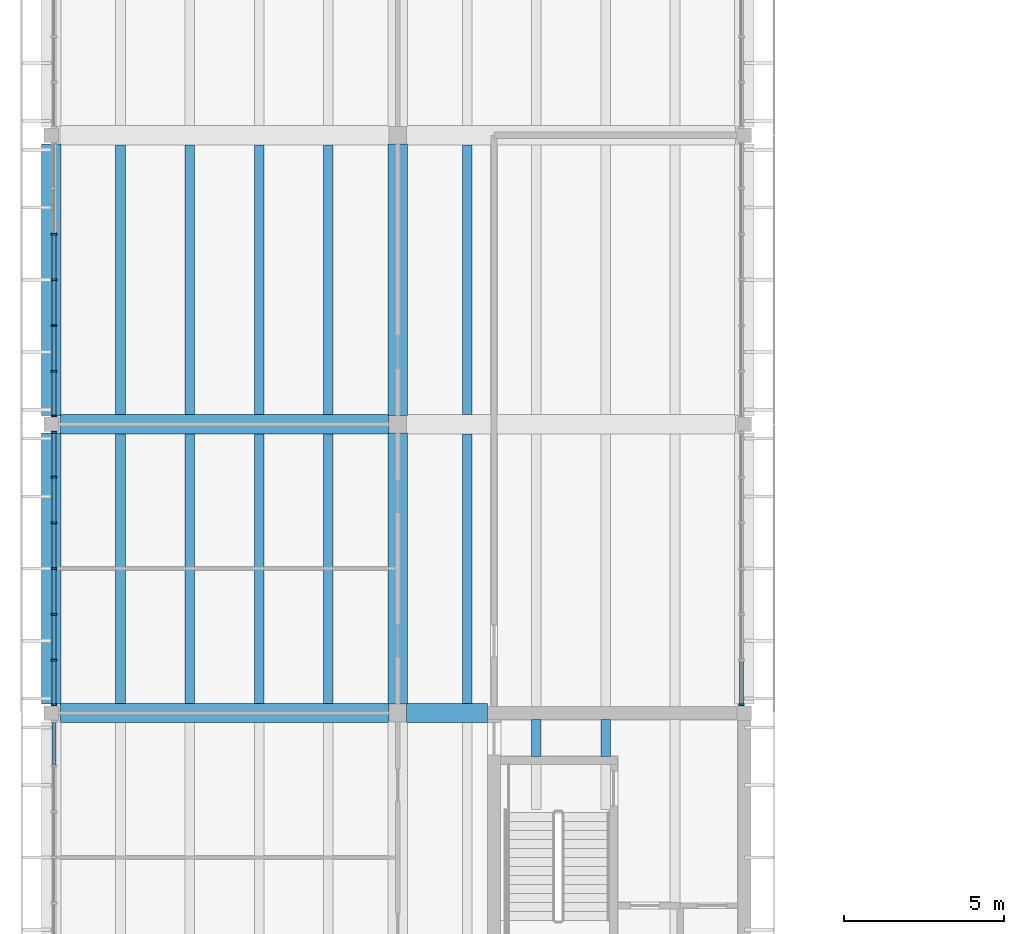
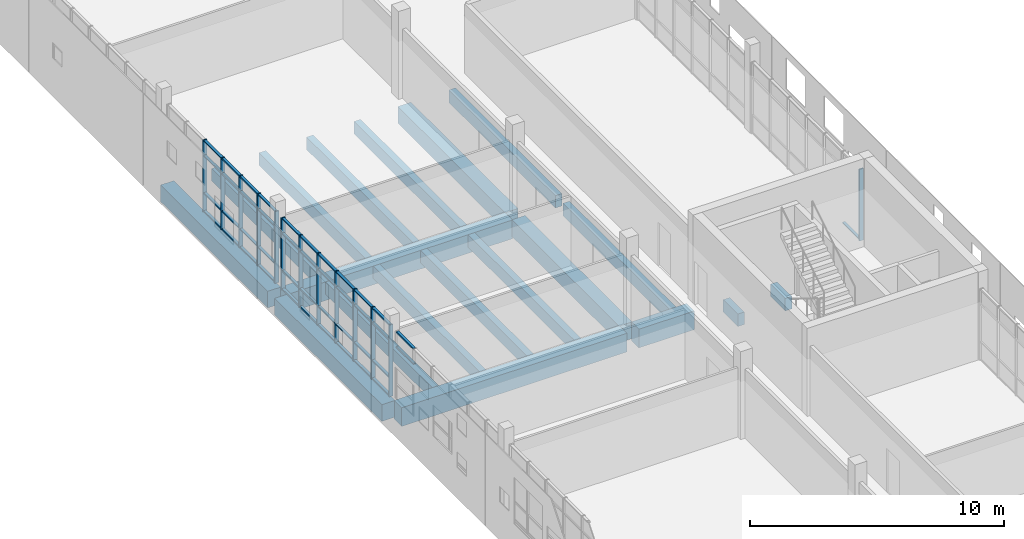
# One storey, part 12 of 50: 56 members, 19 beams, 4 elements without a shape of their own.
"""IFC4 building model written with IfcOpenShell, lengths in metres."""

from ifc_helpers import new_model, si_unit, direction, frame, origin, origin_2d, place, context, subcontext, project, spatial, rectangle, extrude, material, material_profile, profile_set, type_object, element, aggregate, save


model = new_model("IFC4")

# Units and contexts
model_context = context("Model", 3, precision=1e-05, world=origin(), true_north=direction((0.0, 1.0)))
body_context = subcontext(model_context, "Body", "Model", "MODEL_VIEW")
ifc_project = project(units=[si_unit("LENGTHUNIT", "METRE"), si_unit("AREAUNIT", "SQUARE_METRE"), si_unit("VOLUMEUNIT", "CUBIC_METRE"), si_unit("PLANEANGLEUNIT", "RADIAN"), si_unit("MASSUNIT", "GRAM", prefix="KILO")], contexts=[model_context])

# Site, building, storey
site_placement = place(None, origin())
site = spatial("IfcSite", under=ifc_project, at=site_placement, CompositionType="ELEMENT")
building_placement = place(site_placement, origin())
building = spatial("IfcBuilding", under=site, at=building_placement, Name="Merrow Basin Faculty of Sciences", CompositionType="ELEMENT")
storey_placement = place(building_placement, frame((0.0, 0.0, 18.0)))
storey = spatial("IfcBuildingStorey", under=building, at=storey_placement, Name="L04", CompositionType="ELEMENT", Elevation=18.0)

# Curtain wall, members
ifc_material_1 = material(Name="Aluminium alloy 6063", Category="aluminium")
curtain_wall_type = type_object("IfcCurtainWallType", Name="Bar unitised curtain wall 180", PredefinedType="NOTDEFINED", material=ifc_material_1)
curtain_wall_1_placement = place(storey_placement, origin())
curtain_wall_1 = element("IfcCurtainWall", 1, at=curtain_wall_1_placement, inside=storey, type_object=curtain_wall_type, Name="West curtain wall L04 4", PredefinedType="NOTDEFINED")
ifc_material_2 = material(Name="Aluminium alloy 6063", Category="aluminium")
ifc_material_profile_1 = material_profile(ifc_material_2, rectangle(XDim=0.179931640625, YDim=0.06005859375, at=origin_2d()))
ifc_profile_set_1 = profile_set([ifc_material_profile_1], Name="Aluminium alloy 6063")
member_type_1 = type_object("IfcMemberType", Name="Aluminium mullion 60x180", PredefinedType="MULLION", material=ifc_profile_set_1)
member_1_placement = place(storey_placement, frame((0.090087890625, 97.2548828125, 0.0), z_axis=(0.0, 0.0, 1.0), x_axis=(-1.0, 0.0, 0.0)))
member_1 = element("IfcMember", 2, at=member_1_placement, type_object=member_type_1, Name="CW1 mullion 1", PredefinedType="MULLION", context=body_context, shape_type="SweptSolid", body=[
    extrude(rectangle(XDim=0.179931640625, YDim=0.06005859375, at=origin_2d()), origin(), (0.0, 0.0, 1.0), 3.449951171875),
])
member_2_placement = place(storey_placement, frame((0.090087890625, 98.64990234375, 0.0), z_axis=(0.0, 0.0, 1.0), x_axis=(-1.0, 0.0, 0.0)))
member_2 = element("IfcMember", 3, at=member_2_placement, type_object=member_type_1, Name="CW1 mullion 2", PredefinedType="MULLION", context=body_context, shape_type="SweptSolid", body=[
    extrude(rectangle(XDim=0.179931640625, YDim=0.06005859375, at=origin_2d()), origin(), (0.0, 0.0, 1.0), 3.449951171875),
])
member_3_placement = place(storey_placement, frame((0.090087890625, 100.074951171875, 0.0), z_axis=(0.0, 0.0, 1.0), x_axis=(-1.0, 0.0, 0.0)))
member_3 = element("IfcMember", 4, at=member_3_placement, type_object=member_type_1, Name="CW1 mullion 3", PredefinedType="MULLION", context=body_context, shape_type="SweptSolid", body=[
    extrude(rectangle(XDim=0.179931640625, YDim=0.06005859375, at=origin_2d()), origin(), (0.0, 0.0, 1.0), 3.449951171875),
])
member_4_placement = place(storey_placement, frame((0.090087890625, 101.5, 0.0), z_axis=(0.0, 0.0, 1.0), x_axis=(-1.0, 0.0, 0.0)))
member_4 = element("IfcMember", 5, at=member_4_placement, type_object=member_type_1, Name="CW1 mullion 4", PredefinedType="MULLION", context=body_context, shape_type="SweptSolid", body=[
    extrude(rectangle(XDim=0.179931640625, YDim=0.06005859375, at=origin_2d()), origin(), (0.0, 0.0, 1.0), 3.449951171875),
])
member_5_placement = place(storey_placement, frame((0.090087890625, 102.925048828125, 0.0), z_axis=(0.0, 0.0, 1.0), x_axis=(-1.0, 0.0, 0.0)))
member_5 = element("IfcMember", 6, at=member_5_placement, type_object=member_type_1, Name="CW1 mullion 5", PredefinedType="MULLION", context=body_context, shape_type="SweptSolid", body=[
    extrude(rectangle(XDim=0.179931640625, YDim=0.06005859375, at=origin_2d()), origin(), (0.0, 0.0, 1.0), 3.449951171875),
])
member_6_placement = place(storey_placement, frame((0.090087890625, 104.35009765625, 0.0), z_axis=(0.0, 0.0, 1.0), x_axis=(-1.0, 0.0, 0.0)))
member_6 = element("IfcMember", 7, at=member_6_placement, type_object=member_type_1, Name="CW1 mullion 6", PredefinedType="MULLION", context=body_context, shape_type="SweptSolid", body=[
    extrude(rectangle(XDim=0.179931640625, YDim=0.06005859375, at=origin_2d()), origin(), (0.0, 0.0, 1.0), 3.449951171875),
])
member_7_placement = place(storey_placement, frame((0.090087890625, 105.7451171875, 0.0), z_axis=(0.0, 0.0, 1.0), x_axis=(-1.0, 0.0, 0.0)))
member_7 = element("IfcMember", 8, at=member_7_placement, type_object=member_type_1, Name="CW1 mullion 7", PredefinedType="MULLION", context=body_context, shape_type="SweptSolid", body=[
    extrude(rectangle(XDim=0.179931640625, YDim=0.06005859375, at=origin_2d()), origin(), (0.0, 0.0, 1.0), 3.449951171875),
])

curtain_wall_2_placement = place(storey_placement, origin())
curtain_wall_2 = element("IfcCurtainWall", 9, at=curtain_wall_2_placement, inside=storey, type_object=curtain_wall_type, Name="West curtain wall L04 5", PredefinedType="NOTDEFINED")
member_8_placement = place(storey_placement, frame((0.090087890625, 106.2548828125, 0.0), z_axis=(0.0, 0.0, 1.0), x_axis=(-1.0, 0.0, 0.0)))
member_8 = element("IfcMember", 10, at=member_8_placement, type_object=member_type_1, Name="CW1 mullion 1", PredefinedType="MULLION", context=body_context, shape_type="SweptSolid", body=[
    extrude(rectangle(XDim=0.179931640625, YDim=0.06005859375, at=origin_2d()), origin(), (0.0, 0.0, 1.0), 3.449951171875),
])
member_9_placement = place(storey_placement, frame((0.090087890625, 107.64990234375, 0.0), z_axis=(0.0, 0.0, 1.0), x_axis=(-1.0, 0.0, 0.0)))
member_9 = element("IfcMember", 11, at=member_9_placement, type_object=member_type_1, Name="CW1 mullion 2", PredefinedType="MULLION", context=body_context, shape_type="SweptSolid", body=[
    extrude(rectangle(XDim=0.179931640625, YDim=0.06005859375, at=origin_2d()), origin(), (0.0, 0.0, 1.0), 3.449951171875),
])
member_10_placement = place(storey_placement, frame((0.090087890625, 109.074951171875, 0.0), z_axis=(0.0, 0.0, 1.0), x_axis=(-1.0, 0.0, 0.0)))
member_10 = element("IfcMember", 12, at=member_10_placement, type_object=member_type_1, Name="CW1 mullion 3", PredefinedType="MULLION", context=body_context, shape_type="SweptSolid", body=[
    extrude(rectangle(XDim=0.179931640625, YDim=0.06005859375, at=origin_2d()), origin(), (0.0, 0.0, 1.0), 3.449951171875),
])
member_11_placement = place(storey_placement, frame((0.090087890625, 110.5, 0.0), z_axis=(0.0, 0.0, 1.0), x_axis=(-1.0, 0.0, 0.0)))
member_11 = element("IfcMember", 13, at=member_11_placement, type_object=member_type_1, Name="CW1 mullion 4", PredefinedType="MULLION", context=body_context, shape_type="SweptSolid", body=[
    extrude(rectangle(XDim=0.179931640625, YDim=0.06005859375, at=origin_2d()), origin(), (0.0, 0.0, 1.0), 3.449951171875),
])
member_12_placement = place(storey_placement, frame((0.090087890625, 111.925048828125, 0.0), z_axis=(0.0, 0.0, 1.0), x_axis=(-1.0, 0.0, 0.0)))
member_12 = element("IfcMember", 14, at=member_12_placement, type_object=member_type_1, Name="CW1 mullion 5", PredefinedType="MULLION", context=body_context, shape_type="SweptSolid", body=[
    extrude(rectangle(XDim=0.179931640625, YDim=0.06005859375, at=origin_2d()), origin(), (0.0, 0.0, 1.0), 3.449951171875),
])

# Curtain wall, member
curtain_wall_3_placement = place(storey_placement, origin())
curtain_wall_3 = element("IfcCurtainWall", 15, at=curtain_wall_3_placement, inside=storey, type_object=curtain_wall_type, Name="East curtain wall L04 4", PredefinedType="NOTDEFINED")
member_13_placement = place(storey_placement, frame((21.510009765625, 97.2548828125, 0.0), z_axis=(0.0, 0.0, 1.0), x_axis=(-1.0, 0.0, 0.0)))
member_13 = element("IfcMember", 16, at=member_13_placement, type_object=member_type_1, Name="CW1 mullion 1", PredefinedType="MULLION", context=body_context, shape_type="SweptSolid", body=[
    extrude(rectangle(XDim=0.179931640625, YDim=0.06005859375, at=origin_2d()), origin(), (0.0, 0.0, 1.0), 3.449951171875),
])

# Curtain wall, members
curtain_wall_4_placement = place(storey_placement, origin())
curtain_wall_4 = element("IfcCurtainWall", 17, at=curtain_wall_4_placement, inside=storey, type_object=curtain_wall_type, Name="West curtain wall L04 3", PredefinedType="NOTDEFINED")
ifc_material_3 = material(Name="Aluminium alloy 6063", Category="aluminium")
ifc_material_profile_2 = material_profile(ifc_material_3, rectangle(XDim=0.1201171875, YDim=0.06005859375, at=origin_2d()))
ifc_profile_set_2 = profile_set([ifc_material_profile_2], Name="Aluminium alloy 6063")
member_type_2 = type_object("IfcMemberType", Name="Aluminium transom 60x120", PredefinedType="USERDEFINED", material=ifc_profile_set_2)
member_14_placement = place(storey_placement, frame((0.090087890625, 95.3798828125, 2.699951171875), z_axis=(0.0, 1.0, 0.0), x_axis=(-1.0, 0.0, 0.0)))
member_14 = element("IfcMember", 18, at=member_14_placement, type_object=member_type_2, Name="CW1 transom 6.3", ObjectType="TRANSOM", PredefinedType="USERDEFINED", context=body_context, shape_type="SweptSolid", body=[
    extrude(rectangle(XDim=0.1201171875, YDim=0.06005859375, at=origin_2d()), origin(), (0.0, 0.0, 1.0), 1.335205078125),
])
member_15_placement = place(storey_placement, frame((0.090087890625, 95.3798828125, 3.419921875), z_axis=(0.0, 1.0, 0.0), x_axis=(-1.0, 0.0, 0.0)))
member_15 = element("IfcMember", 19, at=member_15_placement, type_object=member_type_2, Name="CW1 transom 6.4", ObjectType="TRANSOM", PredefinedType="USERDEFINED", context=body_context, shape_type="SweptSolid", body=[
    extrude(rectangle(XDim=0.1201171875, YDim=0.06005859375, at=origin_2d()), origin(), (0.0, 0.0, 1.0), 1.335205078125),
])
aggregate(curtain_wall_4, [member_14, member_15])

# Member
member_16_placement = place(storey_placement, frame((0.090087890625, 97.284912109375, 0.030029296875), z_axis=(0.0, 1.0, 0.0), x_axis=(-1.0, 0.0, 0.0)))
member_16 = element("IfcMember", 20, at=member_16_placement, type_object=member_type_2, Name="CW1 transom 1.1", ObjectType="TRANSOM", PredefinedType="USERDEFINED", context=body_context, shape_type="SweptSolid", body=[
    extrude(rectangle(XDim=0.1201171875, YDim=0.06005859375, at=origin_2d()), origin(), (0.0, 0.0, 1.0), 1.335205078125),
])

member_17_placement = place(storey_placement, frame((0.090087890625, 97.284912109375, 0.89990234375), z_axis=(0.0, 1.0, 0.0), x_axis=(-1.0, 0.0, 0.0)))
member_17 = element("IfcMember", 21, at=member_17_placement, type_object=member_type_2, Name="CW1 transom 1.2", ObjectType="TRANSOM", PredefinedType="USERDEFINED", context=body_context, shape_type="SweptSolid", body=[
    extrude(rectangle(XDim=0.1201171875, YDim=0.06005859375, at=origin_2d()), origin(), (0.0, 0.0, 1.0), 1.335205078125),
])

member_18_placement = place(storey_placement, frame((0.090087890625, 97.284912109375, 2.699951171875), z_axis=(0.0, 1.0, 0.0), x_axis=(-1.0, 0.0, 0.0)))
member_18 = element("IfcMember", 22, at=member_18_placement, type_object=member_type_2, Name="CW1 transom 1.3", ObjectType="TRANSOM", PredefinedType="USERDEFINED", context=body_context, shape_type="SweptSolid", body=[
    extrude(rectangle(XDim=0.1201171875, YDim=0.06005859375, at=origin_2d()), origin(), (0.0, 0.0, 1.0), 1.335205078125),
])

member_19_placement = place(storey_placement, frame((0.090087890625, 97.284912109375, 3.419921875), z_axis=(0.0, 1.0, 0.0), x_axis=(-1.0, 0.0, 0.0)))
member_19 = element("IfcMember", 23, at=member_19_placement, type_object=member_type_2, Name="CW1 transom 1.4", ObjectType="TRANSOM", PredefinedType="USERDEFINED", context=body_context, shape_type="SweptSolid", body=[
    extrude(rectangle(XDim=0.1201171875, YDim=0.06005859375, at=origin_2d()), origin(), (0.0, 0.0, 1.0), 1.335205078125),
])

member_20_placement = place(storey_placement, frame((0.090087890625, 98.679931640625, 0.030029296875), z_axis=(0.0, 1.0, 0.0), x_axis=(-1.0, 0.0, 0.0)))
member_20 = element("IfcMember", 24, at=member_20_placement, type_object=member_type_2, Name="CW1 transom 2.1", ObjectType="TRANSOM", PredefinedType="USERDEFINED", context=body_context, shape_type="SweptSolid", body=[
    extrude(rectangle(XDim=0.1201171875, YDim=0.06005859375, at=origin_2d()), origin(), (0.0, 0.0, 1.0), 1.364990234375),
])

member_21_placement = place(storey_placement, frame((0.090087890625, 98.679931640625, 0.89990234375), z_axis=(0.0, 1.0, 0.0), x_axis=(-1.0, 0.0, 0.0)))
member_21 = element("IfcMember", 25, at=member_21_placement, type_object=member_type_2, Name="CW1 transom 2.2", ObjectType="TRANSOM", PredefinedType="USERDEFINED", context=body_context, shape_type="SweptSolid", body=[
    extrude(rectangle(XDim=0.1201171875, YDim=0.06005859375, at=origin_2d()), origin(), (0.0, 0.0, 1.0), 1.364990234375),
])

member_22_placement = place(storey_placement, frame((0.090087890625, 98.679931640625, 2.699951171875), z_axis=(0.0, 1.0, 0.0), x_axis=(-1.0, 0.0, 0.0)))
member_22 = element("IfcMember", 26, at=member_22_placement, type_object=member_type_2, Name="CW1 transom 2.3", ObjectType="TRANSOM", PredefinedType="USERDEFINED", context=body_context, shape_type="SweptSolid", body=[
    extrude(rectangle(XDim=0.1201171875, YDim=0.06005859375, at=origin_2d()), origin(), (0.0, 0.0, 1.0), 1.364990234375),
])

member_23_placement = place(storey_placement, frame((0.090087890625, 98.679931640625, 3.419921875), z_axis=(0.0, 1.0, 0.0), x_axis=(-1.0, 0.0, 0.0)))
member_23 = element("IfcMember", 27, at=member_23_placement, type_object=member_type_2, Name="CW1 transom 2.4", ObjectType="TRANSOM", PredefinedType="USERDEFINED", context=body_context, shape_type="SweptSolid", body=[
    extrude(rectangle(XDim=0.1201171875, YDim=0.06005859375, at=origin_2d()), origin(), (0.0, 0.0, 1.0), 1.364990234375),
])

member_24_placement = place(storey_placement, frame((0.090087890625, 100.10498046875, 0.030029296875), z_axis=(0.0, 1.0, 0.0), x_axis=(-1.0, 0.0, 0.0)))
member_24 = element("IfcMember", 28, at=member_24_placement, type_object=member_type_2, Name="CW1 transom 3.1", ObjectType="TRANSOM", PredefinedType="USERDEFINED", context=body_context, shape_type="SweptSolid", body=[
    extrude(rectangle(XDim=0.1201171875, YDim=0.06005859375, at=origin_2d()), origin(), (0.0, 0.0, 1.0), 1.364990234375),
])

member_25_placement = place(storey_placement, frame((0.090087890625, 100.10498046875, 0.89990234375), z_axis=(0.0, 1.0, 0.0), x_axis=(-1.0, 0.0, 0.0)))
member_25 = element("IfcMember", 29, at=member_25_placement, type_object=member_type_2, Name="CW1 transom 3.2", ObjectType="TRANSOM", PredefinedType="USERDEFINED", context=body_context, shape_type="SweptSolid", body=[
    extrude(rectangle(XDim=0.1201171875, YDim=0.06005859375, at=origin_2d()), origin(), (0.0, 0.0, 1.0), 1.364990234375),
])

member_26_placement = place(storey_placement, frame((0.090087890625, 100.10498046875, 2.699951171875), z_axis=(0.0, 1.0, 0.0), x_axis=(-1.0, 0.0, 0.0)))
member_26 = element("IfcMember", 30, at=member_26_placement, type_object=member_type_2, Name="CW1 transom 3.3", ObjectType="TRANSOM", PredefinedType="USERDEFINED", context=body_context, shape_type="SweptSolid", body=[
    extrude(rectangle(XDim=0.1201171875, YDim=0.06005859375, at=origin_2d()), origin(), (0.0, 0.0, 1.0), 1.364990234375),
])

member_27_placement = place(storey_placement, frame((0.090087890625, 100.10498046875, 3.419921875), z_axis=(0.0, 1.0, 0.0), x_axis=(-1.0, 0.0, 0.0)))
member_27 = element("IfcMember", 31, at=member_27_placement, type_object=member_type_2, Name="CW1 transom 3.4", ObjectType="TRANSOM", PredefinedType="USERDEFINED", context=body_context, shape_type="SweptSolid", body=[
    extrude(rectangle(XDim=0.1201171875, YDim=0.06005859375, at=origin_2d()), origin(), (0.0, 0.0, 1.0), 1.364990234375),
])

member_28_placement = place(storey_placement, frame((0.090087890625, 101.530029296875, 0.030029296875), z_axis=(0.0, 1.0, 0.0), x_axis=(-1.0, 0.0, 0.0)))
member_28 = element("IfcMember", 32, at=member_28_placement, type_object=member_type_2, Name="CW1 transom 4.1", ObjectType="TRANSOM", PredefinedType="USERDEFINED", context=body_context, shape_type="SweptSolid", body=[
    extrude(rectangle(XDim=0.1201171875, YDim=0.06005859375, at=origin_2d()), origin(), (0.0, 0.0, 1.0), 1.364990234375),
])

member_29_placement = place(storey_placement, frame((0.090087890625, 101.530029296875, 0.89990234375), z_axis=(0.0, 1.0, 0.0), x_axis=(-1.0, 0.0, 0.0)))
member_29 = element("IfcMember", 33, at=member_29_placement, type_object=member_type_2, Name="CW1 transom 4.2", ObjectType="TRANSOM", PredefinedType="USERDEFINED", context=body_context, shape_type="SweptSolid", body=[
    extrude(rectangle(XDim=0.1201171875, YDim=0.06005859375, at=origin_2d()), origin(), (0.0, 0.0, 1.0), 1.364990234375),
])

member_30_placement = place(storey_placement, frame((0.090087890625, 101.530029296875, 2.699951171875), z_axis=(0.0, 1.0, 0.0), x_axis=(-1.0, 0.0, 0.0)))
member_30 = element("IfcMember", 34, at=member_30_placement, type_object=member_type_2, Name="CW1 transom 4.3", ObjectType="TRANSOM", PredefinedType="USERDEFINED", context=body_context, shape_type="SweptSolid", body=[
    extrude(rectangle(XDim=0.1201171875, YDim=0.06005859375, at=origin_2d()), origin(), (0.0, 0.0, 1.0), 1.364990234375),
])

member_31_placement = place(storey_placement, frame((0.090087890625, 101.530029296875, 3.419921875), z_axis=(0.0, 1.0, 0.0), x_axis=(-1.0, 0.0, 0.0)))
member_31 = element("IfcMember", 35, at=member_31_placement, type_object=member_type_2, Name="CW1 transom 4.4", ObjectType="TRANSOM", PredefinedType="USERDEFINED", context=body_context, shape_type="SweptSolid", body=[
    extrude(rectangle(XDim=0.1201171875, YDim=0.06005859375, at=origin_2d()), origin(), (0.0, 0.0, 1.0), 1.364990234375),
])

member_32_placement = place(storey_placement, frame((0.090087890625, 102.955078125, 0.030029296875), z_axis=(0.0, 1.0, 0.0), x_axis=(-1.0, 0.0, 0.0)))
member_32 = element("IfcMember", 36, at=member_32_placement, type_object=member_type_2, Name="CW1 transom 5.1", ObjectType="TRANSOM", PredefinedType="USERDEFINED", context=body_context, shape_type="SweptSolid", body=[
    extrude(rectangle(XDim=0.1201171875, YDim=0.06005859375, at=origin_2d()), origin(), (0.0, 0.0, 1.0), 1.364990234375),
])

member_33_placement = place(storey_placement, frame((0.090087890625, 102.955078125, 0.89990234375), z_axis=(0.0, 1.0, 0.0), x_axis=(-1.0, 0.0, 0.0)))
member_33 = element("IfcMember", 37, at=member_33_placement, type_object=member_type_2, Name="CW1 transom 5.2", ObjectType="TRANSOM", PredefinedType="USERDEFINED", context=body_context, shape_type="SweptSolid", body=[
    extrude(rectangle(XDim=0.1201171875, YDim=0.06005859375, at=origin_2d()), origin(), (0.0, 0.0, 1.0), 1.364990234375),
])

member_34_placement = place(storey_placement, frame((0.090087890625, 102.955078125, 2.699951171875), z_axis=(0.0, 1.0, 0.0), x_axis=(-1.0, 0.0, 0.0)))
member_34 = element("IfcMember", 38, at=member_34_placement, type_object=member_type_2, Name="CW1 transom 5.3", ObjectType="TRANSOM", PredefinedType="USERDEFINED", context=body_context, shape_type="SweptSolid", body=[
    extrude(rectangle(XDim=0.1201171875, YDim=0.06005859375, at=origin_2d()), origin(), (0.0, 0.0, 1.0), 1.364990234375),
])

member_35_placement = place(storey_placement, frame((0.090087890625, 102.955078125, 3.419921875), z_axis=(0.0, 1.0, 0.0), x_axis=(-1.0, 0.0, 0.0)))
member_35 = element("IfcMember", 39, at=member_35_placement, type_object=member_type_2, Name="CW1 transom 5.4", ObjectType="TRANSOM", PredefinedType="USERDEFINED", context=body_context, shape_type="SweptSolid", body=[
    extrude(rectangle(XDim=0.1201171875, YDim=0.06005859375, at=origin_2d()), origin(), (0.0, 0.0, 1.0), 1.364990234375),
])

member_36_placement = place(storey_placement, frame((0.090087890625, 104.3798828125, 0.030029296875), z_axis=(0.0, 1.0, 0.0), x_axis=(-1.0, 0.0, 0.0)))
member_36 = element("IfcMember", 40, at=member_36_placement, type_object=member_type_2, Name="CW1 transom 6.1", ObjectType="TRANSOM", PredefinedType="USERDEFINED", context=body_context, shape_type="SweptSolid", body=[
    extrude(rectangle(XDim=0.1201171875, YDim=0.06005859375, at=origin_2d()), origin(), (0.0, 0.0, 1.0), 1.335205078125),
])

member_37_placement = place(storey_placement, frame((0.090087890625, 104.3798828125, 0.89990234375), z_axis=(0.0, 1.0, 0.0), x_axis=(-1.0, 0.0, 0.0)))
member_37 = element("IfcMember", 41, at=member_37_placement, type_object=member_type_2, Name="CW1 transom 6.2", ObjectType="TRANSOM", PredefinedType="USERDEFINED", context=body_context, shape_type="SweptSolid", body=[
    extrude(rectangle(XDim=0.1201171875, YDim=0.06005859375, at=origin_2d()), origin(), (0.0, 0.0, 1.0), 1.335205078125),
])

member_38_placement = place(storey_placement, frame((0.090087890625, 104.3798828125, 2.699951171875), z_axis=(0.0, 1.0, 0.0), x_axis=(-1.0, 0.0, 0.0)))
member_38 = element("IfcMember", 42, at=member_38_placement, type_object=member_type_2, Name="CW1 transom 6.3", ObjectType="TRANSOM", PredefinedType="USERDEFINED", context=body_context, shape_type="SweptSolid", body=[
    extrude(rectangle(XDim=0.1201171875, YDim=0.06005859375, at=origin_2d()), origin(), (0.0, 0.0, 1.0), 1.335205078125),
])

member_39_placement = place(storey_placement, frame((0.090087890625, 104.3798828125, 3.419921875), z_axis=(0.0, 1.0, 0.0), x_axis=(-1.0, 0.0, 0.0)))
member_39 = element("IfcMember", 43, at=member_39_placement, type_object=member_type_2, Name="CW1 transom 6.4", ObjectType="TRANSOM", PredefinedType="USERDEFINED", context=body_context, shape_type="SweptSolid", body=[
    extrude(rectangle(XDim=0.1201171875, YDim=0.06005859375, at=origin_2d()), origin(), (0.0, 0.0, 1.0), 1.335205078125),
])

aggregate(curtain_wall_1, [member_1, member_2, member_3, member_4, member_5, member_6, member_7, member_16, member_17, member_18, member_19, member_20, member_21, member_22, member_23, member_24, member_25, member_26, member_27, member_28, member_29, member_30, member_31, member_32, member_33, member_34, member_35, member_36, member_37, member_38, member_39])

member_40_placement = place(storey_placement, frame((0.090087890625, 106.284912109375, 0.030029296875), z_axis=(0.0, 1.0, 0.0), x_axis=(-1.0, 0.0, 0.0)))
member_40 = element("IfcMember", 44, at=member_40_placement, type_object=member_type_2, Name="CW1 transom 1.1", ObjectType="TRANSOM", PredefinedType="USERDEFINED", context=body_context, shape_type="SweptSolid", body=[
    extrude(rectangle(XDim=0.1201171875, YDim=0.06005859375, at=origin_2d()), origin(), (0.0, 0.0, 1.0), 1.335205078125),
])

member_41_placement = place(storey_placement, frame((0.090087890625, 106.284912109375, 0.89990234375), z_axis=(0.0, 1.0, 0.0), x_axis=(-1.0, 0.0, 0.0)))
member_41 = element("IfcMember", 45, at=member_41_placement, type_object=member_type_2, Name="CW1 transom 1.2", ObjectType="TRANSOM", PredefinedType="USERDEFINED", context=body_context, shape_type="SweptSolid", body=[
    extrude(rectangle(XDim=0.1201171875, YDim=0.06005859375, at=origin_2d()), origin(), (0.0, 0.0, 1.0), 1.335205078125),
])

member_42_placement = place(storey_placement, frame((0.090087890625, 106.284912109375, 2.699951171875), z_axis=(0.0, 1.0, 0.0), x_axis=(-1.0, 0.0, 0.0)))
member_42 = element("IfcMember", 46, at=member_42_placement, type_object=member_type_2, Name="CW1 transom 1.3", ObjectType="TRANSOM", PredefinedType="USERDEFINED", context=body_context, shape_type="SweptSolid", body=[
    extrude(rectangle(XDim=0.1201171875, YDim=0.06005859375, at=origin_2d()), origin(), (0.0, 0.0, 1.0), 1.335205078125),
])

member_43_placement = place(storey_placement, frame((0.090087890625, 106.284912109375, 3.419921875), z_axis=(0.0, 1.0, 0.0), x_axis=(-1.0, 0.0, 0.0)))
member_43 = element("IfcMember", 47, at=member_43_placement, type_object=member_type_2, Name="CW1 transom 1.4", ObjectType="TRANSOM", PredefinedType="USERDEFINED", context=body_context, shape_type="SweptSolid", body=[
    extrude(rectangle(XDim=0.1201171875, YDim=0.06005859375, at=origin_2d()), origin(), (0.0, 0.0, 1.0), 1.335205078125),
])

member_44_placement = place(storey_placement, frame((0.090087890625, 107.679931640625, 0.030029296875), z_axis=(0.0, 1.0, 0.0), x_axis=(-1.0, 0.0, 0.0)))
member_44 = element("IfcMember", 48, at=member_44_placement, type_object=member_type_2, Name="CW1 transom 2.1", ObjectType="TRANSOM", PredefinedType="USERDEFINED", context=body_context, shape_type="SweptSolid", body=[
    extrude(rectangle(XDim=0.1201171875, YDim=0.06005859375, at=origin_2d()), origin(), (0.0, 0.0, 1.0), 1.364990234375),
])

member_45_placement = place(storey_placement, frame((0.090087890625, 107.679931640625, 0.89990234375), z_axis=(0.0, 1.0, 0.0), x_axis=(-1.0, 0.0, 0.0)))
member_45 = element("IfcMember", 49, at=member_45_placement, type_object=member_type_2, Name="CW1 transom 2.2", ObjectType="TRANSOM", PredefinedType="USERDEFINED", context=body_context, shape_type="SweptSolid", body=[
    extrude(rectangle(XDim=0.1201171875, YDim=0.06005859375, at=origin_2d()), origin(), (0.0, 0.0, 1.0), 1.364990234375),
])

member_46_placement = place(storey_placement, frame((0.090087890625, 107.679931640625, 2.699951171875), z_axis=(0.0, 1.0, 0.0), x_axis=(-1.0, 0.0, 0.0)))
member_46 = element("IfcMember", 50, at=member_46_placement, type_object=member_type_2, Name="CW1 transom 2.3", ObjectType="TRANSOM", PredefinedType="USERDEFINED", context=body_context, shape_type="SweptSolid", body=[
    extrude(rectangle(XDim=0.1201171875, YDim=0.06005859375, at=origin_2d()), origin(), (0.0, 0.0, 1.0), 1.364990234375),
])

member_47_placement = place(storey_placement, frame((0.090087890625, 107.679931640625, 3.419921875), z_axis=(0.0, 1.0, 0.0), x_axis=(-1.0, 0.0, 0.0)))
member_47 = element("IfcMember", 51, at=member_47_placement, type_object=member_type_2, Name="CW1 transom 2.4", ObjectType="TRANSOM", PredefinedType="USERDEFINED", context=body_context, shape_type="SweptSolid", body=[
    extrude(rectangle(XDim=0.1201171875, YDim=0.06005859375, at=origin_2d()), origin(), (0.0, 0.0, 1.0), 1.364990234375),
])

member_48_placement = place(storey_placement, frame((0.090087890625, 109.10498046875, 0.030029296875), z_axis=(0.0, 1.0, 0.0), x_axis=(-1.0, 0.0, 0.0)))
member_48 = element("IfcMember", 52, at=member_48_placement, type_object=member_type_2, Name="CW1 transom 3.1", ObjectType="TRANSOM", PredefinedType="USERDEFINED", context=body_context, shape_type="SweptSolid", body=[
    extrude(rectangle(XDim=0.1201171875, YDim=0.06005859375, at=origin_2d()), origin(), (0.0, 0.0, 1.0), 1.364990234375),
])

member_49_placement = place(storey_placement, frame((0.090087890625, 109.10498046875, 0.89990234375), z_axis=(0.0, 1.0, 0.0), x_axis=(-1.0, 0.0, 0.0)))
member_49 = element("IfcMember", 53, at=member_49_placement, type_object=member_type_2, Name="CW1 transom 3.2", ObjectType="TRANSOM", PredefinedType="USERDEFINED", context=body_context, shape_type="SweptSolid", body=[
    extrude(rectangle(XDim=0.1201171875, YDim=0.06005859375, at=origin_2d()), origin(), (0.0, 0.0, 1.0), 1.364990234375),
])

member_50_placement = place(storey_placement, frame((0.090087890625, 109.10498046875, 2.699951171875), z_axis=(0.0, 1.0, 0.0), x_axis=(-1.0, 0.0, 0.0)))
member_50 = element("IfcMember", 54, at=member_50_placement, type_object=member_type_2, Name="CW1 transom 3.3", ObjectType="TRANSOM", PredefinedType="USERDEFINED", context=body_context, shape_type="SweptSolid", body=[
    extrude(rectangle(XDim=0.1201171875, YDim=0.06005859375, at=origin_2d()), origin(), (0.0, 0.0, 1.0), 1.364990234375),
])

member_51_placement = place(storey_placement, frame((0.090087890625, 109.10498046875, 3.419921875), z_axis=(0.0, 1.0, 0.0), x_axis=(-1.0, 0.0, 0.0)))
member_51 = element("IfcMember", 55, at=member_51_placement, type_object=member_type_2, Name="CW1 transom 3.4", ObjectType="TRANSOM", PredefinedType="USERDEFINED", context=body_context, shape_type="SweptSolid", body=[
    extrude(rectangle(XDim=0.1201171875, YDim=0.06005859375, at=origin_2d()), origin(), (0.0, 0.0, 1.0), 1.364990234375),
])

member_52_placement = place(storey_placement, frame((0.090087890625, 110.530029296875, 0.030029296875), z_axis=(0.0, 1.0, 0.0), x_axis=(-1.0, 0.0, 0.0)))
member_52 = element("IfcMember", 56, at=member_52_placement, type_object=member_type_2, Name="CW1 transom 4.1", ObjectType="TRANSOM", PredefinedType="USERDEFINED", context=body_context, shape_type="SweptSolid", body=[
    extrude(rectangle(XDim=0.1201171875, YDim=0.06005859375, at=origin_2d()), origin(), (0.0, 0.0, 1.0), 1.364990234375),
])

member_53_placement = place(storey_placement, frame((0.090087890625, 110.530029296875, 0.89990234375), z_axis=(0.0, 1.0, 0.0), x_axis=(-1.0, 0.0, 0.0)))
member_53 = element("IfcMember", 57, at=member_53_placement, type_object=member_type_2, Name="CW1 transom 4.2", ObjectType="TRANSOM", PredefinedType="USERDEFINED", context=body_context, shape_type="SweptSolid", body=[
    extrude(rectangle(XDim=0.1201171875, YDim=0.06005859375, at=origin_2d()), origin(), (0.0, 0.0, 1.0), 1.364990234375),
])

member_54_placement = place(storey_placement, frame((0.090087890625, 110.530029296875, 2.699951171875), z_axis=(0.0, 1.0, 0.0), x_axis=(-1.0, 0.0, 0.0)))
member_54 = element("IfcMember", 58, at=member_54_placement, type_object=member_type_2, Name="CW1 transom 4.3", ObjectType="TRANSOM", PredefinedType="USERDEFINED", context=body_context, shape_type="SweptSolid", body=[
    extrude(rectangle(XDim=0.1201171875, YDim=0.06005859375, at=origin_2d()), origin(), (0.0, 0.0, 1.0), 1.364990234375),
])

member_55_placement = place(storey_placement, frame((0.090087890625, 110.530029296875, 3.419921875), z_axis=(0.0, 1.0, 0.0), x_axis=(-1.0, 0.0, 0.0)))
member_55 = element("IfcMember", 59, at=member_55_placement, type_object=member_type_2, Name="CW1 transom 4.4", ObjectType="TRANSOM", PredefinedType="USERDEFINED", context=body_context, shape_type="SweptSolid", body=[
    extrude(rectangle(XDim=0.1201171875, YDim=0.06005859375, at=origin_2d()), origin(), (0.0, 0.0, 1.0), 1.364990234375),
])

aggregate(curtain_wall_2, [member_8, member_9, member_10, member_11, member_12, member_40, member_41, member_42, member_43, member_44, member_45, member_46, member_47, member_48, member_49, member_50, member_51, member_52, member_53, member_54, member_55])

member_56_placement = place(storey_placement, frame((21.510009765625, 97.284912109375, 0.030029296875), z_axis=(0.0, 1.0, 0.0), x_axis=(-1.0, 0.0, 0.0)))
member_56 = element("IfcMember", 60, at=member_56_placement, type_object=member_type_2, Name="CW1 transom 1.1", ObjectType="TRANSOM", PredefinedType="USERDEFINED", context=body_context, shape_type="SweptSolid", body=[
    extrude(rectangle(XDim=0.1201171875, YDim=0.06005859375, at=origin_2d()), origin(), (0.0, 0.0, 1.0), 1.335205078125),
])

aggregate(curtain_wall_3, [member_13, member_56])

# Beams
ifc_material_4 = material(Name="Concrete C40/50", Category="concrete")
ifc_material_profile_3 = material_profile(ifc_material_4, rectangle(XDim=0.60009765625, YDim=0.800048828125, at=origin_2d()))
ifc_profile_set_3 = profile_set([ifc_material_profile_3], Name="Concrete C40/50")
beam_type_1 = type_object("IfcBeamType", Name="Beam RC600x800 C40/50", PredefinedType="BEAM", material=ifc_profile_set_3)
for number, where, z_axis, x_axis, name in (
    (61, (0.0, 97.27490234375, -0.699951171875), (0.0, 1.0, 0.0), (-1.0, 0.0, 0.0), "B2 L04 018"),
    (62, (0.0, 106.27490234375, -0.699951171875), (0.0, 1.0, 0.0), (-1.0, 0.0, 0.0), "B2 L04 019"),
    (63, (10.800048828125, 97.27490234375, -0.699951171875), (0.0, 1.0, 0.0), (-1.0, 0.0, 0.0), "B2 L04 025"),
    (64, (10.800048828125, 106.27490234375, -0.699951171875), (0.0, 1.0, 0.0), (-1.0, 0.0, 0.0), "B2 L04 026"),
):
    element("IfcBeam", number, at=place(storey_placement, frame(where, z_axis=z_axis, x_axis=x_axis)), inside=storey, type_object=beam_type_1, Name=name, PredefinedType="BEAM", context=body_context, shape_type="SweptSolid", body=[
        extrude(rectangle(XDim=0.60009765625, YDim=0.800048828125, at=origin_2d()), origin(), (0.0, 0.0, 1.0), 8.4501953125),
    ])
ifc_material_5 = material(Name="Concrete C40/50", Category="concrete")
ifc_material_profile_4 = material_profile(ifc_material_5, rectangle(XDim=0.60009765625, YDim=0.89990234375, at=origin_2d()))
ifc_profile_set_4 = profile_set([ifc_material_profile_4], Name="Concrete C40/50")
beam_type_2 = type_object("IfcBeamType", Name="Beam RC600x900 C40/50", PredefinedType="BEAM", material=ifc_profile_set_4)
beam_1_placement = place(storey_placement, frame((0.27490234375, 97.0, -0.75), z_axis=(1.0, 0.0, 0.0), x_axis=(0.0, 1.0, 0.0)))
element("IfcBeam", 65, at=beam_1_placement, inside=storey, type_object=beam_type_2, Name="B1 L04 007", PredefinedType="BEAM", context=body_context, shape_type="SweptSolid", body=[
    extrude(rectangle(XDim=0.60009765625, YDim=0.89990234375, at=origin_2d()), origin(), (0.0, 0.0, 1.0), 10.25),
])
beam_2_placement = place(storey_placement, frame((11.074951171875, 97.0, -0.75), z_axis=(1.0, 0.0, 0.0), x_axis=(0.0, 1.0, 0.0)))
element("IfcBeam", 66, at=beam_2_placement, inside=storey, type_object=beam_type_2, Name="B1 L04 008", PredefinedType="BEAM", context=body_context, shape_type="SweptSolid", body=[
    extrude(rectangle(XDim=0.60009765625, YDim=0.89990234375, at=origin_2d()), origin(), (0.0, 0.0, 1.0), 2.525146484375),
])
beam_3_placement = place(storey_placement, frame((0.27490234375, 106.0, -0.75), z_axis=(1.0, 0.0, 0.0), x_axis=(0.0, 1.0, 0.0)))
element("IfcBeam", 67, at=beam_3_placement, inside=storey, type_object=beam_type_2, Name="B1 L04 009", PredefinedType="BEAM", context=body_context, shape_type="SweptSolid", body=[
    extrude(rectangle(XDim=0.60009765625, YDim=0.89990234375, at=origin_2d()), origin(), (0.0, 0.0, 1.0), 10.25),
])
ifc_material_6 = material(Name="Concrete C40/50", Category="concrete")
ifc_material_profile_5 = material_profile(ifc_material_6, rectangle(XDim=0.300048828125, YDim=0.60009765625, at=origin_2d()))
ifc_profile_set_5 = profile_set([ifc_material_profile_5], Name="Concrete C40/50")
beam_type_3 = type_object("IfcBeamType", Name="Laboratory floor joist RC300x600 C40/50", PredefinedType="BEAM", material=ifc_profile_set_5)
for number, where, z_axis, x_axis, name in (
    (68, (2.159912109375, 97.300048828125, -0.60009765625), (0.0, 1.0, 0.0), (-1.0, 0.0, 0.0), "JL1 L04 051"),
    (69, (4.320068359375, 97.300048828125, -0.60009765625), (0.0, 1.0, 0.0), (-1.0, 0.0, 0.0), "JL1 L04 052"),
    (70, (6.47998046875, 97.300048828125, -0.60009765625), (0.0, 1.0, 0.0), (-1.0, 0.0, 0.0), "JL1 L04 053"),
    (71, (8.639892578125, 97.300048828125, -0.60009765625), (0.0, 1.0, 0.0), (-1.0, 0.0, 0.0), "JL1 L04 054"),
    (72, (2.159912109375, 106.300048828125, -0.60009765625), (0.0, 1.0, 0.0), (-1.0, 0.0, 0.0), "JL1 L04 055"),
    (73, (4.320068359375, 106.300048828125, -0.60009765625), (0.0, 1.0, 0.0), (-1.0, 0.0, 0.0), "JL1 L04 056"),
    (74, (6.47998046875, 106.300048828125, -0.60009765625), (0.0, 1.0, 0.0), (-1.0, 0.0, 0.0), "JL1 L04 057"),
    (75, (8.639892578125, 106.300048828125, -0.60009765625), (0.0, 1.0, 0.0), (-1.0, 0.0, 0.0), "JL1 L04 058"),
):
    element("IfcBeam", number, at=place(storey_placement, frame(where, z_axis=z_axis, x_axis=x_axis)), inside=storey, type_object=beam_type_3, Name=name, PredefinedType="BEAM", context=body_context, shape_type="SweptSolid", body=[
        extrude(rectangle(XDim=0.300048828125, YDim=0.60009765625, at=origin_2d()), origin(), (0.0, 0.0, 1.0), 8.39990234375),
    ])
for number, where, z_axis, x_axis, name in (
    (76, (15.1201171875, 95.64990234375, -0.60009765625), (0.0, 1.0, 0.0), (-1.0, 0.0, 0.0), "JL1 L04 081"),
    (77, (17.280029296875, 95.64990234375, -0.60009765625), (0.0, 1.0, 0.0), (-1.0, 0.0, 0.0), "JL1 L04 083"),
):
    element("IfcBeam", number, at=place(storey_placement, frame(where, z_axis=z_axis, x_axis=x_axis)), inside=storey, type_object=beam_type_3, Name=name, PredefinedType="BEAM", context=body_context, shape_type="SweptSolid", body=[
        extrude(rectangle(XDim=0.300048828125, YDim=0.60009765625, at=origin_2d()), origin(), (0.0, 0.0, 1.0), 1.150146484375),
    ])
for number, where, z_axis, x_axis, name in (
    (78, (12.9599609375, 97.300048828125, -0.60009765625), (0.0, 1.0, 0.0), (-1.0, 0.0, 0.0), "JL1 L04 085"),
    (79, (12.9599609375, 106.300048828125, -0.60009765625), (0.0, 1.0, 0.0), (-1.0, 0.0, 0.0), "JL1 L04 089"),
):
    element("IfcBeam", number, at=place(storey_placement, frame(where, z_axis=z_axis, x_axis=x_axis)), inside=storey, type_object=beam_type_3, Name=name, PredefinedType="BEAM", context=body_context, shape_type="SweptSolid", body=[
        extrude(rectangle(XDim=0.300048828125, YDim=0.60009765625, at=origin_2d()), origin(), (0.0, 0.0, 1.0), 8.39990234375),
    ])

save(model, "model.ifc")
